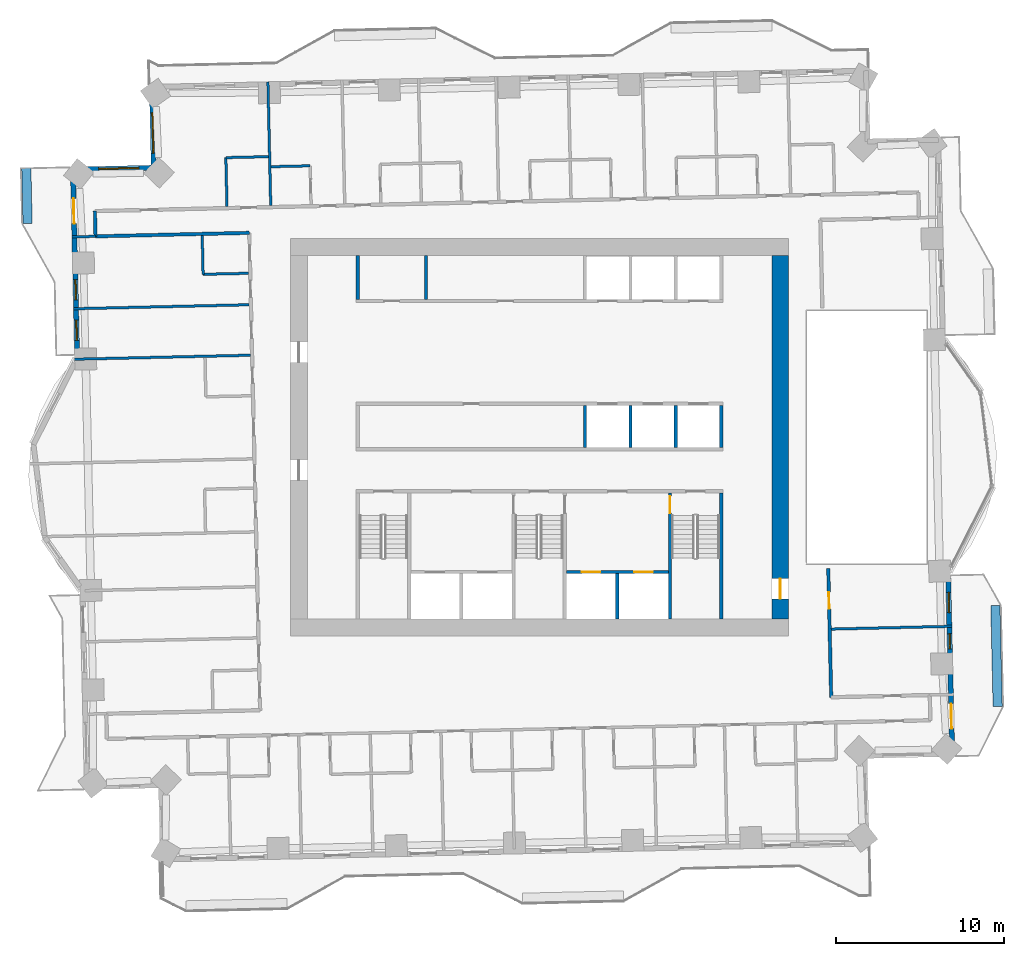
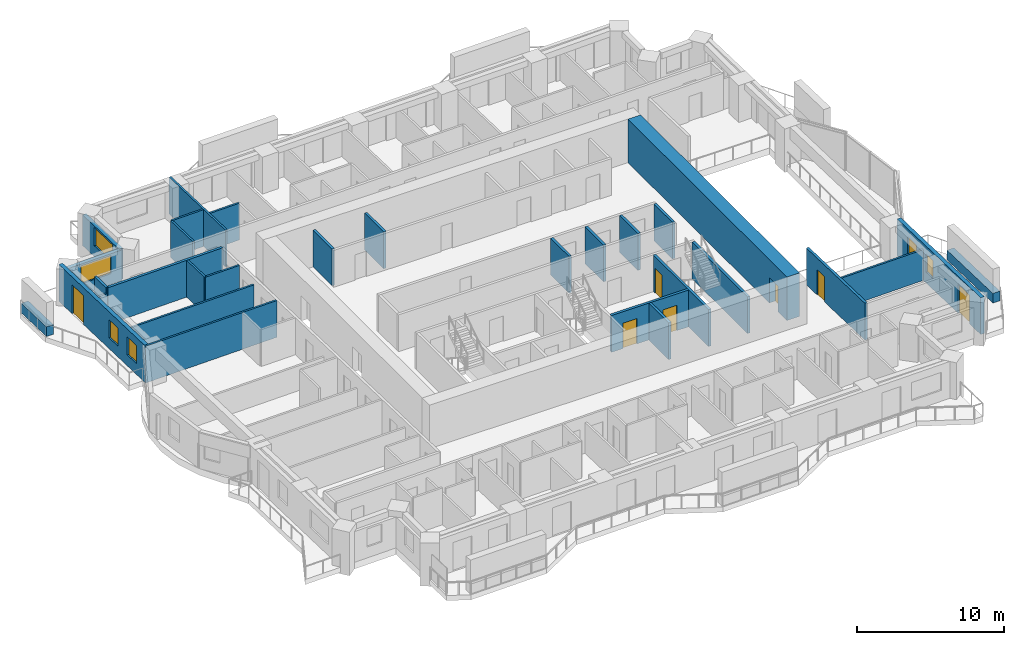
# One storey, part 9 of 16: 30 walls, 7 doors, 6 windows, 13 openings.
"""IFC4 building model written with IfcOpenShell, lengths in metres."""

from ifc_helpers import new_model, si_unit, direction, frame, frame_2d, origin, place, context, subcontext, project, spatial, rectangle, extrude, material, layer, layer_set, type_object, element, fill, save


model = new_model("IFC4")

# Units and contexts
model_context = context("Model", 3, precision=1e-05, world=origin(), true_north=direction((0.0, 1.0)))
body_context = subcontext(model_context, "Body", "Model", "MODEL_VIEW")
ifc_project = project(units=[si_unit("LENGTHUNIT", "METRE"), si_unit("AREAUNIT", "SQUARE_METRE"), si_unit("VOLUMEUNIT", "CUBIC_METRE"), si_unit("PLANEANGLEUNIT", "RADIAN"), si_unit("MASSUNIT", "GRAM", prefix="KILO")], contexts=[model_context])

# Site, building, storey
site_placement = place(None, origin())
site = spatial("IfcSite", under=ifc_project, at=site_placement, CompositionType="ELEMENT")
building_placement = place(site_placement, origin())
building = spatial("IfcBuilding", under=site, at=building_placement, Name="Mangrove Gate Tower", CompositionType="ELEMENT")
storey_placement = place(building_placement, frame((0.0, 0.0, 130.10009765625)))
storey = spatial("IfcBuildingStorey", under=building, at=storey_placement, Name="L32", CompositionType="ELEMENT", Elevation=130.10009765625)

# Walls
ifc_material_1 = material(Name="Concrete C32/40", Category="concrete")
ifc_layer_1 = layer(ifc_material_1, 0.199951171875)
ifc_layer_set_1 = layer_set([ifc_layer_1], Name="Core room wall 200 C32/40")
wall_type_1 = type_object("IfcWallType", Name="Core room wall 200 C32/40", PredefinedType="STANDARD", material=ifc_layer_set_1)
for number, where, z_axis, x_axis, name in (
    (1, (-10.800048828125, 8.199951171875, 0.0), (0.0, 0.0, 1.0), (0.0, 1.0, 0.0), "WALL-L32-CORE-24"),
    (2, (-6.75, 8.199951171875, 0.0), (0.0, 0.0, 1.0), (0.0, 1.0, 0.0), "WALL-L32-CORE-25"),
):
    element("IfcWall", number, at=place(storey_placement, frame(where, z_axis=z_axis, x_axis=x_axis)), inside=storey, type_object=wall_type_1, Name=name, PredefinedType="STANDARD", context=body_context, shape_type="SweptSolid", body=[
        extrude(rectangle(XDim=2.60009765625, YDim=0.199951171875, at=frame_2d((1.300048828125, 0.0))), origin(), (0.0, 0.0, 1.0), 3.0498046875),
    ])

# Wall, openings, doors
ifc_material_2 = material(Name="Concrete C70/85", Category="concrete")
ifc_layer_2 = layer(ifc_material_2, 0.199951171875)
ifc_layer_set_2 = layer_set([ifc_layer_2], Name="Core shaft wall 200 C70/85")
wall_type_2 = type_object("IfcWallType", Name="Core shaft wall 200 C70/85", PredefinedType="SHEAR", material=ifc_layer_set_2)
wall_1_placement = place(storey_placement, frame((1.60009765625, -8.0, 0.0), z_axis=(0.0, 0.0, 1.0), x_axis=(1.0, 0.0, 0.0)))
wall_1 = element("IfcWall", 3, at=wall_1_placement, inside=storey, type_object=wall_type_2, Name="WALL-L32-CORE-17", PredefinedType="SHEAR", context=body_context, shape_type="SweptSolid", body=[
    extrude(rectangle(XDim=6.0498046875, YDim=0.199951171875, at=frame_2d((3.02490234375, 0.0))), origin(), (0.0, 0.0, 1.0), 3.0498046875),
])
opening_1_placement = place(wall_1_placement, frame((0.91259765625, 0.0, 0.0)))
opening_1 = element("IfcOpeningElement", 4, at=opening_1_placement, cuts=wall_1, Name="Opening LD", PredefinedType="OPENING", context=body_context, shape_type="SweptSolid", body=[
    extrude(rectangle(XDim=1.10009765625, YDim=2.10009765625, at=frame_2d((0.550048828125, 1.050048828125))), frame((0.0, 0.10986328125, 0.0), z_axis=(0.0, -1.0, 0.0), x_axis=(1.0, 0.0, 0.0)), (0.0, 0.0, 1.0), 0.219970703125),
])
opening_2_placement = place(wall_1_placement, frame((4.03759765625, 0.0, 0.0)))
opening_2 = element("IfcOpeningElement", 5, at=opening_2_placement, cuts=wall_1, Name="Opening LD", PredefinedType="OPENING", context=body_context, shape_type="SweptSolid", body=[
    extrude(rectangle(XDim=1.10009765625, YDim=2.10009765625, at=frame_2d((0.550048828125, 1.050048828125))), frame((0.0, 0.10986328125, 0.0), z_axis=(0.0, -1.0, 0.0), x_axis=(1.0, 0.0, 0.0)), (0.0, 0.0, 1.0), 0.219970703125),
])
ifc_material_3 = material(Name="Stainless steel 316", Category="steel")
door_type_1 = type_object("IfcDoorType", Name="Lift landing door 1100x2100", OperationType="SLIDING_TO_LEFT", PredefinedType="DOOR", material=ifc_material_3)
door_1_placement = place(opening_1_placement, origin())
door_1 = element("IfcDoor", 6, at=door_1_placement, inside=storey, type_object=door_type_1, Name="Landing door LD FFL1", OperationType="SLIDING_TO_LEFT", OverallHeight=2.10009765625, OverallWidth=1.10009765625, PredefinedType="DOOR", context=body_context, shape_type="SweptSolid", body=[
    extrude(rectangle(XDim=1.10009765625, YDim=2.10009765625, at=frame_2d((0.550048828125, 1.050048828125))), frame((0.0, 0.02490234375, 0.0), z_axis=(0.0, -1.0, 0.0), x_axis=(1.0, 0.0, 0.0)), (0.0, 0.0, 1.0), 0.050048828125),
])
fill(opening_1, door_1)
door_2_placement = place(opening_2_placement, origin())
door_2 = element("IfcDoor", 7, at=door_2_placement, inside=storey, type_object=door_type_1, Name="Landing door LD FFL2", OperationType="SLIDING_TO_LEFT", OverallHeight=2.10009765625, OverallWidth=1.10009765625, PredefinedType="DOOR", context=body_context, shape_type="SweptSolid", body=[
    extrude(rectangle(XDim=1.10009765625, YDim=2.10009765625, at=frame_2d((0.550048828125, 1.050048828125))), frame((0.0, 0.02490234375, 0.0), z_axis=(0.0, -1.0, 0.0), x_axis=(1.0, 0.0, 0.0)), (0.0, 0.0, 1.0), 0.050048828125),
])
fill(opening_2, door_2)

# Walls
wall_2_placement = place(storey_placement, frame((4.625, -10.800048828125, 0.0), z_axis=(0.0, 0.0, 1.0), x_axis=(0.0, 1.0, 0.0)))
element("IfcWall", 8, at=wall_2_placement, inside=storey, type_object=wall_type_2, Name="WALL-L32-CORE-18", PredefinedType="SHEAR", context=body_context, shape_type="SweptSolid", body=[
    extrude(rectangle(XDim=2.699951171875, YDim=0.199951171875, at=frame_2d((1.35009765625, 0.0))), origin(), (0.0, 0.0, 1.0), 3.0498046875),
])
for number, where, z_axis, x_axis, name in (
    (9, (2.699951171875, -0.60009765625, 0.0), (0.0, 0.0, 1.0), (0.0, 1.0, 0.0), "WALL-L32-CORE-20"),
    (10, (5.39990234375, -0.60009765625, 0.0), (0.0, 0.0, 1.0), (0.0, 1.0, 0.0), "WALL-L32-CORE-21"),
    (11, (8.10009765625, -0.60009765625, 0.0), (0.0, 0.0, 1.0), (0.0, 1.0, 0.0), "WALL-L32-CORE-22"),
    (12, (10.800048828125, -0.60009765625, 0.0), (0.0, 0.0, 1.0), (0.0, 1.0, 0.0), "WALL-L32-CORE-23"),
):
    element("IfcWall", number, at=place(storey_placement, frame(where, z_axis=z_axis, x_axis=x_axis)), inside=storey, type_object=wall_type_2, Name=name, PredefinedType="SHEAR", context=body_context, shape_type="SweptSolid", body=[
        extrude(rectangle(XDim=2.5, YDim=0.199951171875, at=frame_2d((1.25, 0.0))), origin(), (0.0, 0.0, 1.0), 3.0498046875),
    ])

# Wall, opening, door
ifc_material_4 = material(Name="Concrete C70/85", Category="concrete")
ifc_layer_3 = layer(ifc_material_4, 0.199951171875)
ifc_layer_set_3 = layer_set([ifc_layer_3], Name="Core stair wall 200 C70/85")
wall_type_3 = type_object("IfcWallType", Name="Core stair wall 200 C70/85", PredefinedType="SHEAR", material=ifc_layer_set_3)
wall_3_placement = place(storey_placement, frame((7.75, -10.800048828125, 0.0), z_axis=(0.0, 0.0, 1.0), x_axis=(0.0, 1.0, 0.0)))
wall_3 = element("IfcWall", 13, at=wall_3_placement, inside=storey, type_object=wall_type_3, Name="WALL-L32-CORE-13", PredefinedType="SHEAR", context=body_context, shape_type="SweptSolid", body=[
    extrude(rectangle(XDim=7.5, YDim=0.199951171875, at=frame_2d((3.75, 0.0))), origin(), (0.0, 0.0, 1.0), 3.0498046875),
])
opening_3_placement = place(wall_3_placement, frame((6.300048828125, 0.0, 0.0)))
opening_3 = element("IfcOpeningElement", 14, at=opening_3_placement, cuts=wall_3, Name="Opening STD10", PredefinedType="OPENING", context=body_context, shape_type="SweptSolid", body=[
    extrude(rectangle(XDim=1.0, YDim=2.10009765625, at=frame_2d((0.5, 1.050048828125))), frame((0.0, 0.10986328125, 0.0), z_axis=(0.0, -1.0, 0.0), x_axis=(1.0, 0.0, 0.0)), (0.0, 0.0, 1.0), 0.219970703125),
])
ifc_material_5 = material(Name="Fire-rated steel door set", Category="steel")
door_type_2 = type_object("IfcDoorType", Name="Stair door FD60 1000x2100", OperationType="SINGLE_SWING_RIGHT", PredefinedType="DOOR", material=ifc_material_5)
door_3_placement = place(opening_3_placement, origin())
door_3 = element("IfcDoor", 15, at=door_3_placement, inside=storey, type_object=door_type_2, Name="Stair door Stair 3 from fire-fighting lobby", OperationType="SINGLE_SWING_RIGHT", OverallHeight=2.10009765625, OverallWidth=1.0, PredefinedType="DOOR", context=body_context, shape_type="SweptSolid", body=[
    extrude(rectangle(XDim=1.0, YDim=2.10009765625, at=frame_2d((0.5, 1.050048828125))), frame((0.0, 0.02490234375, 0.0), z_axis=(0.0, -1.0, 0.0), x_axis=(1.0, 0.0, 0.0)), (0.0, 0.0, 1.0), 0.050048828125),
])
fill(opening_3, door_3)

# Wall
wall_4_placement = place(storey_placement, frame((10.800048828125, -10.800048828125, 0.0), z_axis=(0.0, 0.0, 1.0), x_axis=(0.0, 1.0, 0.0)))
element("IfcWall", 16, at=wall_4_placement, inside=storey, type_object=wall_type_3, Name="WALL-L32-CORE-14", PredefinedType="SHEAR", context=body_context, shape_type="SweptSolid", body=[
    extrude(rectangle(XDim=7.5, YDim=0.199951171875, at=frame_2d((3.75, 0.0))), origin(), (0.0, 0.0, 1.0), 3.0498046875),
])

# Wall, opening, door
ifc_material_6 = material(Name="Concrete C70/85", Category="concrete")
ifc_layer_4 = layer(ifc_material_6, 1.0)
ifc_layer_set_4 = layer_set([ifc_layer_4], Name="Core wall 1000 C70/85")
wall_type_4 = type_object("IfcWallType", Name="Core wall 1000 C70/85", PredefinedType="SHEAR", material=ifc_layer_set_4)
wall_5_placement = place(storey_placement, frame((14.300048828125, -10.800048828125, 0.0), z_axis=(0.0, 0.0, 1.0), x_axis=(0.0, 1.0, 0.0)))
wall_5 = element("IfcWall", 17, at=wall_5_placement, inside=storey, type_object=wall_type_4, Name="WALL-L32-CORE-4", PredefinedType="SHEAR", context=body_context, shape_type="SweptSolid", body=[
    extrude(rectangle(XDim=21.60009765625, YDim=1.0, at=frame_2d((10.800048828125, 0.0))), origin(), (0.0, 0.0, 1.0), 3.599853515625),
])
opening_4_placement = place(wall_5_placement, frame((1.199951171875, 0.0, 0.0)))
opening_4 = element("IfcOpeningElement", 18, at=opening_4_placement, cuts=wall_5, Name="Opening CD", PredefinedType="OPENING", context=body_context, shape_type="SweptSolid", body=[
    extrude(rectangle(XDim=1.199951171875, YDim=2.10009765625, at=frame_2d((0.60009765625, 1.050048828125))), frame((0.0, 0.510009765625, 0.0), z_axis=(0.0, -1.0, 0.0), x_axis=(1.0, 0.0, 0.0)), (0.0, 0.0, 1.0), 1.02001953125),
])
ifc_material_7 = material(Name="Fire-rated steel door set", Category="steel")
door_type_3 = type_object("IfcDoorType", Name="Core ring door FD60 1200x2100", OperationType="DOUBLE_DOOR_SINGLE_SWING", PredefinedType="DOOR", material=ifc_material_7)
door_4_placement = place(opening_4_placement, origin())
door_4 = element("IfcDoor", 19, at=door_4_placement, inside=storey, type_object=door_type_3, Name="Core ring door E1", OperationType="DOUBLE_DOOR_SINGLE_SWING", OverallHeight=2.10009765625, OverallWidth=1.199951171875, PredefinedType="DOOR", context=body_context, shape_type="SweptSolid", body=[
    extrude(rectangle(XDim=1.199951171875, YDim=2.10009765625, at=frame_2d((0.60009765625, 1.050048828125))), frame((0.0, 0.02490234375, 0.0), z_axis=(0.0, -1.0, 0.0), x_axis=(1.0, 0.0, 0.0)), (0.0, 0.0, 1.0), 0.050048828125),
])
fill(opening_4, door_4)

ifc_material_8 = material(Name="Gypsum board on steel stud, EI 60", Category="steel")
ifc_layer_5 = layer(ifc_material_8, 0.199951171875)
ifc_layer_set_5 = layer_set([ifc_layer_5], Name="Corridor wall EI 60")
wall_type_5 = type_object("IfcWallType", Name="Corridor wall EI 60", PredefinedType="PARTITIONING", material=ifc_layer_set_5)
wall_6_placement = place(storey_placement, frame((17.327880859375, -15.447998046875, 0.0), z_axis=(0.0, 0.0, 1.0), x_axis=(-0.022680883318, 0.999742755679, 0.0)))
wall_6 = element("IfcWall", 20, at=wall_6_placement, inside=storey, type_object=wall_type_5, Name="WALL-L32-034", PredefinedType="PARTITIONING", context=body_context, shape_type="SweptSolid", body=[
    extrude(rectangle(XDim=7.6640625, YDim=0.199951171875, at=frame_2d((3.83203125, 0.0))), origin(), (0.0, 0.0, 1.0), 3.0498046875),
])
opening_5_placement = place(wall_6_placement, frame((5.2548828125, 0.0, 0.0)))
opening_5 = element("IfcOpeningElement", 21, at=opening_5_placement, cuts=wall_6, Name="Opening AD", PredefinedType="OPENING", context=body_context, shape_type="SweptSolid", body=[
    extrude(rectangle(XDim=1.0, YDim=2.10009765625, at=frame_2d((0.5, 1.050048828125))), frame((0.0, 0.10986328125, 0.0), z_axis=(0.0, -1.0, 0.0), x_axis=(1.0, 0.0, 0.0)), (0.0, 0.0, 1.0), 0.219970703125),
])
ifc_material_9 = material(Name="Timber door leaf", Category="wood")
door_type_4 = type_object("IfcDoorType", Name="Amenity door 1000", OperationType="SINGLE_SWING_LEFT", PredefinedType="DOOR", material=ifc_material_9)
door_5_placement = place(opening_5_placement, origin())
door_5 = element("IfcDoor", 22, at=door_5_placement, inside=storey, type_object=door_type_4, Name="DOOR-L32-STU-c3a", OperationType="SINGLE_SWING_RIGHT", OverallHeight=2.10009765625, OverallWidth=1.0, PredefinedType="DOOR", context=body_context, shape_type="SweptSolid", body=[
    extrude(rectangle(XDim=1.0, YDim=2.10009765625, at=frame_2d((0.5, 1.050048828125))), frame((0.0, 0.02490234375, 0.0), z_axis=(0.0, -1.0, 0.0), x_axis=(1.0, 0.0, 0.0)), (0.0, 0.0, 1.0), 0.050048828125),
])
fill(opening_5, door_5)

# Walls
wall_7_placement = place(storey_placement, frame((-26.386962890625, 11.94091796875, 0.0), z_axis=(0.0, 0.0, 1.0), x_axis=(0.999741076645, 0.022754772455, 0.0)))
element("IfcWall", 23, at=wall_7_placement, inside=storey, type_object=wall_type_5, Name="WALL-L32-055", PredefinedType="PARTITIONING", context=body_context, shape_type="SweptSolid", body=[
    extrude(rectangle(XDim=9.141357421875, YDim=0.199951171875, at=frame_2d((4.57080078125, 0.0))), origin(), (0.0, 0.0, 1.0), 3.0498046875),
])
wall_8_placement = place(storey_placement, frame((-26.385009765625, 11.94091796875, 0.0), z_axis=(0.0, 0.0, 1.0), x_axis=(-0.022617910375, 0.999744182344, 0.0)))
element("IfcWall", 24, at=wall_8_placement, inside=storey, type_object=wall_type_5, Name="WALL-L32-056", PredefinedType="PARTITIONING", context=body_context, shape_type="SweptSolid", body=[
    extrude(rectangle(XDim=1.50048828125, YDim=0.199951171875, at=frame_2d((0.750244140625, 0.0))), origin(), (0.0, 0.0, 1.0), 3.0498046875),
])

# Wall, openings, door, windows
ifc_material_10 = material(Name="Limestone", Category="masonry")
ifc_layer_6 = layer(ifc_material_10, 0.0400390625, Name="Limestone cladding")
ifc_material_11 = material(Name="Ventilated air gap")
ifc_layer_7 = layer(ifc_material_11, 0.0400390625, Name="Ventilated cavity")
ifc_material_12 = material(Name="Mineral wool insulation")
ifc_layer_8 = layer(ifc_material_12, 0.06005859375, Name="Insulation")
ifc_material_13 = material(Name="Breather membrane")
ifc_layer_9 = layer(ifc_material_13, 0.001953125, Name="Breather membrane")
ifc_material_14 = material(Name="Concrete C20/25 blockwork", Category="masonry")
ifc_layer_10 = layer(ifc_material_14, 0.14990234375, Name="Blockwork backing wall")
ifc_material_15 = material(Name="Gypsum plaster")
ifc_layer_11 = layer(ifc_material_15, 0.008056640625, Name="Internal plaster")
ifc_layer_set_6 = layer_set([ifc_layer_6, ifc_layer_7, ifc_layer_8, ifc_layer_9, ifc_layer_10, ifc_layer_11], Name="External wall 300 limestone cladding")
wall_type_6 = type_object("IfcWallType", Name="External wall 300 limestone cladding", PredefinedType="SOLIDWALL", material=ifc_layer_set_6)
wall_9_placement = place(storey_placement, frame((24.51806640625, -18.81201171875, 0.0), z_axis=(0.0, 0.0, 1.0), x_axis=(-0.02269451316, 0.999742446369, 0.0)))
wall_9 = element("IfcWall", 25, at=wall_9_placement, inside=storey, type_object=wall_type_6, Name="WALL-L32-E0", PredefinedType="SOLIDWALL", context=body_context, shape_type="SweptSolid", body=[
    extrude(rectangle(XDim=10.929931640625, YDim=0.300048828125, at=frame_2d((5.46484375, 0.0))), origin(), (0.0, 0.0, 1.0), 3.0498046875),
])
opening_6_placement = place(wall_9_placement, frame((1.49609375, 0.0, 0.0)))
opening_6 = element("IfcOpeningElement", 26, at=opening_6_placement, cuts=wall_9, Name="Opening BD1", PredefinedType="OPENING", context=body_context, shape_type="SweptSolid", body=[
    extrude(rectangle(XDim=1.5, YDim=2.39990234375, at=frame_2d((0.75, 1.199951171875))), frame((0.0, 0.159912109375, 0.0), z_axis=(0.0, -1.0, 0.0), x_axis=(1.0, 0.0, 0.0)), (0.0, 0.0, 1.0), 0.320068359375),
])
opening_7_placement = place(wall_9_placement, frame((6.243896484375, 0.0, 0.89990234375)))
opening_7 = element("IfcOpeningElement", 27, at=opening_7_placement, cuts=wall_9, Name="Opening W5", PredefinedType="OPENING", context=body_context, shape_type="SweptSolid", body=[
    extrude(rectangle(XDim=0.89990234375, YDim=1.5, at=frame_2d((0.449951171875, 0.75))), frame((0.0, 0.159912109375, 0.0), z_axis=(0.0, -1.0, 0.0), x_axis=(1.0, 0.0, 0.0)), (0.0, 0.0, 1.0), 0.320068359375),
])
opening_8_placement = place(wall_9_placement, frame((8.39990234375, 0.0, 0.89990234375)))
opening_8 = element("IfcOpeningElement", 28, at=opening_8_placement, cuts=wall_9, Name="Opening W1", PredefinedType="OPENING", context=body_context, shape_type="SweptSolid", body=[
    extrude(rectangle(XDim=1.199951171875, YDim=1.5, at=frame_2d((0.60009765625, 0.75))), frame((0.0, 0.159912109375, 0.0), z_axis=(0.0, -1.0, 0.0), x_axis=(1.0, 0.0, 0.0)), (0.0, 0.0, 1.0), 0.320068359375),
])
ifc_material_16 = material(Name="Aluminium frame with laminated clear glass", Category="aluminium")
door_type_5 = type_object("IfcDoorType", Name="Balcony sliding door 1500x2400", OperationType="SLIDING_TO_LEFT", PredefinedType="DOOR", material=ifc_material_16)
door_6_placement = place(opening_6_placement, origin())
door_6 = element("IfcDoor", 29, at=door_6_placement, inside=storey, type_object=door_type_5, Name="DOOR-L32-E0-1", OperationType="SLIDING_TO_LEFT", OverallHeight=2.39990234375, OverallWidth=1.5, PredefinedType="DOOR", context=body_context, shape_type="SweptSolid", body=[
    extrude(rectangle(XDim=1.5, YDim=2.39990234375, at=frame_2d((0.75, 1.199951171875))), frame((0.0, 0.02490234375, 0.0), z_axis=(0.0, -1.0, 0.0), x_axis=(1.0, 0.0, 0.0)), (0.0, 0.0, 1.0), 0.050048828125),
])
fill(opening_6, door_6)
ifc_material_17 = material(Name="Aluminium frame with double-glazed low-e glass", Category="aluminium")
window_type_1 = type_object("IfcWindowType", Name="Narrow window 900x1500", PartitioningType="SINGLE_PANEL", PredefinedType="WINDOW", material=ifc_material_17)
window_1_placement = place(opening_7_placement, origin())
window_1 = element("IfcWindow", 30, at=window_1_placement, inside=storey, type_object=window_type_1, Name="WIN-L32-E0-2", OverallHeight=1.5, OverallWidth=0.89990234375, PartitioningType="SINGLE_PANEL", PredefinedType="WINDOW", context=body_context, shape_type="SweptSolid", body=[
    extrude(rectangle(XDim=0.89990234375, YDim=1.5, at=frame_2d((0.449951171875, 0.75))), frame((0.0, 0.030029296875, 0.0), z_axis=(0.0, -1.0, 0.0), x_axis=(1.0, 0.0, 0.0)), (0.0, 0.0, 1.0), 0.06005859375),
])
fill(opening_7, window_1)
ifc_material_18 = material(Name="Aluminium frame with double-glazed low-e glass", Category="aluminium")
window_type_2 = type_object("IfcWindowType", Name="Side lite 1200x1500", PartitioningType="SINGLE_PANEL", PredefinedType="WINDOW", material=ifc_material_18)
window_2_placement = place(opening_8_placement, origin())
window_2 = element("IfcWindow", 31, at=window_2_placement, inside=storey, type_object=window_type_2, Name="WIN-L32-E0-3", OverallHeight=1.5, OverallWidth=1.199951171875, PartitioningType="SINGLE_PANEL", PredefinedType="WINDOW", context=body_context, shape_type="SweptSolid", body=[
    extrude(rectangle(XDim=1.199951171875, YDim=1.5, at=frame_2d((0.60009765625, 0.75))), frame((0.0, 0.030029296875, 0.0), z_axis=(0.0, -1.0, 0.0), x_axis=(1.0, 0.0, 0.0)), (0.0, 0.0, 1.0), 0.06005859375),
])
fill(opening_8, window_2)

# Wall, opening, window
wall_10_placement = place(storey_placement, frame((-23.037109375, 20.819091796875, 0.0), z_axis=(0.0, 0.0, 1.0), x_axis=(0.022738738327, -0.999741441463, 0.0)))
wall_10 = element("IfcWall", 32, at=wall_10_placement, inside=storey, type_object=wall_type_6, Name="WALL-L32-W6", PredefinedType="SOLIDWALL", context=body_context, shape_type="SweptSolid", body=[
    extrude(rectangle(XDim=4.79931640625, YDim=0.300048828125, at=frame_2d((2.399658203125, 0.0))), origin(), (0.0, 0.0, 1.0), 2.5498046875),
])
opening_9_placement = place(wall_10_placement, frame((1.541015625, 0.0, 0.89990234375)))
opening_9 = element("IfcOpeningElement", 33, at=opening_9_placement, cuts=wall_10, Name="Opening W2", PredefinedType="OPENING", context=body_context, shape_type="SweptSolid", body=[
    extrude(rectangle(XDim=2.39990234375, YDim=1.5, at=frame_2d((1.199951171875, 0.75))), frame((0.0, 0.159912109375, 0.0), z_axis=(0.0, -1.0, 0.0), x_axis=(1.0, 0.0, 0.0)), (0.0, 0.0, 1.0), 0.320068359375),
])
ifc_material_19 = material(Name="Aluminium frame with double-glazed low-e glass", Category="aluminium")
window_type_3 = type_object("IfcWindowType", Name="Corner room window 2400x1500", PartitioningType="DOUBLE_PANEL_VERTICAL", PredefinedType="WINDOW", material=ifc_material_19)
window_3_placement = place(opening_9_placement, origin())
window_3 = element("IfcWindow", 34, at=window_3_placement, inside=storey, type_object=window_type_3, Name="WIN-L32-W6-1", OverallHeight=1.5, OverallWidth=2.39990234375, PartitioningType="DOUBLE_PANEL_VERTICAL", PredefinedType="WINDOW", context=body_context, shape_type="SweptSolid", body=[
    extrude(rectangle(XDim=2.39990234375, YDim=1.5, at=frame_2d((1.199951171875, 0.75))), frame((0.0, 0.030029296875, 0.0), z_axis=(0.0, -1.0, 0.0), x_axis=(1.0, 0.0, 0.0)), (0.0, 0.0, 1.0), 0.06005859375),
])
fill(opening_9, window_3)

wall_11_placement = place(storey_placement, frame((-22.927978515625, 16.02099609375, 0.0), z_axis=(0.0, 0.0, 1.0), x_axis=(-0.999742701292, -0.022683280499, 0.0)))
wall_11 = element("IfcWall", 35, at=wall_11_placement, inside=storey, type_object=wall_type_6, Name="WALL-L32-N7", PredefinedType="SOLIDWALL", context=body_context, shape_type="SweptSolid", body=[
    extrude(rectangle(XDim=4.80029296875, YDim=0.300048828125, at=frame_2d((2.400146484375, 0.0))), origin(), (0.0, 0.0, 1.0), 2.5498046875),
])
opening_10_placement = place(wall_11_placement, frame((0.873046875, 0.0, 0.89990234375)))
opening_10 = element("IfcOpeningElement", 36, at=opening_10_placement, cuts=wall_11, Name="Opening W2", PredefinedType="OPENING", context=body_context, shape_type="SweptSolid", body=[
    extrude(rectangle(XDim=2.39990234375, YDim=1.5, at=frame_2d((1.199951171875, 0.75))), frame((0.0, 0.159912109375, 0.0), z_axis=(0.0, -1.0, 0.0), x_axis=(1.0, 0.0, 0.0)), (0.0, 0.0, 1.0), 0.320068359375),
])
window_4_placement = place(opening_10_placement, origin())
window_4 = element("IfcWindow", 37, at=window_4_placement, inside=storey, type_object=window_type_3, Name="WIN-L32-N7-1", OverallHeight=1.5, OverallWidth=2.39990234375, PartitioningType="DOUBLE_PANEL_VERTICAL", PredefinedType="WINDOW", context=body_context, shape_type="SweptSolid", body=[
    extrude(rectangle(XDim=2.39990234375, YDim=1.5, at=frame_2d((1.199951171875, 0.75))), frame((0.0, 0.030029296875, 0.0), z_axis=(0.0, -1.0, 0.0), x_axis=(1.0, 0.0, 0.0)), (0.0, 0.0, 1.0), 0.06005859375),
])
fill(opening_10, window_4)

# Wall, openings, door, windows
wall_12_placement = place(storey_placement, frame((-27.72705078125, 15.912109375, 0.0), z_axis=(0.0, 0.0, 1.0), x_axis=(0.022690078929, -0.999742547018, 0.0)))
wall_12 = element("IfcWall", 38, at=wall_12_placement, inside=storey, type_object=wall_type_6, Name="WALL-L32-W8", PredefinedType="SOLIDWALL", context=body_context, shape_type="SweptSolid", body=[
    extrude(rectangle(XDim=11.330078125, YDim=0.300048828125, at=frame_2d((5.6650390625, 0.0))), origin(), (0.0, 0.0, 1.0), 3.0498046875),
])
opening_11_placement = place(wall_12_placement, frame((1.717041015625, 0.0, 0.0)))
opening_11 = element("IfcOpeningElement", 39, at=opening_11_placement, cuts=wall_12, Name="Opening BD1", PredefinedType="OPENING", context=body_context, shape_type="SweptSolid", body=[
    extrude(rectangle(XDim=1.5, YDim=2.39990234375, at=frame_2d((0.75, 1.199951171875))), frame((0.0, 0.159912109375, 0.0), z_axis=(0.0, -1.0, 0.0), x_axis=(1.0, 0.0, 0.0)), (0.0, 0.0, 1.0), 0.320068359375),
])
opening_12_placement = place(wall_12_placement, frame((6.5439453125, 0.0, 0.89990234375)))
opening_12 = element("IfcOpeningElement", 40, at=opening_12_placement, cuts=wall_12, Name="Opening W1", PredefinedType="OPENING", context=body_context, shape_type="SweptSolid", body=[
    extrude(rectangle(XDim=1.199951171875, YDim=1.5, at=frame_2d((0.60009765625, 0.75))), frame((0.0, 0.159912109375, 0.0), z_axis=(0.0, -1.0, 0.0), x_axis=(1.0, 0.0, 0.0)), (0.0, 0.0, 1.0), 0.320068359375),
])
opening_13_placement = place(wall_12_placement, frame((8.949951171875, 0.0, 0.89990234375)))
opening_13 = element("IfcOpeningElement", 41, at=opening_13_placement, cuts=wall_12, Name="Opening W1", PredefinedType="OPENING", context=body_context, shape_type="SweptSolid", body=[
    extrude(rectangle(XDim=1.199951171875, YDim=1.5, at=frame_2d((0.60009765625, 0.75))), frame((0.0, 0.159912109375, 0.0), z_axis=(0.0, -1.0, 0.0), x_axis=(1.0, 0.0, 0.0)), (0.0, 0.0, 1.0), 0.320068359375),
])
door_7_placement = place(opening_11_placement, origin())
door_7 = element("IfcDoor", 42, at=door_7_placement, inside=storey, type_object=door_type_5, Name="DOOR-L32-W8-1", OperationType="SLIDING_TO_LEFT", OverallHeight=2.39990234375, OverallWidth=1.5, PredefinedType="DOOR", context=body_context, shape_type="SweptSolid", body=[
    extrude(rectangle(XDim=1.5, YDim=2.39990234375, at=frame_2d((0.75, 1.199951171875))), frame((0.0, 0.02490234375, 0.0), z_axis=(0.0, -1.0, 0.0), x_axis=(1.0, 0.0, 0.0)), (0.0, 0.0, 1.0), 0.050048828125),
])
fill(opening_11, door_7)
window_5_placement = place(opening_12_placement, origin())
window_5 = element("IfcWindow", 43, at=window_5_placement, inside=storey, type_object=window_type_2, Name="WIN-L32-W8-2", OverallHeight=1.5, OverallWidth=1.199951171875, PartitioningType="SINGLE_PANEL", PredefinedType="WINDOW", context=body_context, shape_type="SweptSolid", body=[
    extrude(rectangle(XDim=1.199951171875, YDim=1.5, at=frame_2d((0.60009765625, 0.75))), frame((0.0, 0.030029296875, 0.0), z_axis=(0.0, -1.0, 0.0), x_axis=(1.0, 0.0, 0.0)), (0.0, 0.0, 1.0), 0.06005859375),
])
fill(opening_12, window_5)
window_6_placement = place(opening_13_placement, origin())
window_6 = element("IfcWindow", 44, at=window_6_placement, inside=storey, type_object=window_type_2, Name="WIN-L32-W8-3", OverallHeight=1.5, OverallWidth=1.199951171875, PartitioningType="SINGLE_PANEL", PredefinedType="WINDOW", context=body_context, shape_type="SweptSolid", body=[
    extrude(rectangle(XDim=1.199951171875, YDim=1.5, at=frame_2d((0.60009765625, 0.75))), frame((0.0, 0.030029296875, 0.0), z_axis=(0.0, -1.0, 0.0), x_axis=(1.0, 0.0, 0.0)), (0.0, 0.0, 1.0), 0.06005859375),
])
fill(opening_13, window_6)

# Walls
ifc_material_20 = material(Name="Gypsum board on steel stud, EI 60", Category="steel")
ifc_layer_12 = layer(ifc_material_20, 0.14990234375)
ifc_layer_set_7 = layer_set([ifc_layer_12], Name="Party wall 150 EI 60")
wall_type_7 = type_object("IfcWallType", Name="Party wall 150 EI 60", PredefinedType="PARTITIONING", material=ifc_layer_set_7)
wall_13_placement = place(storey_placement, frame((17.3310546875, -11.39306640625, 0.0), z_axis=(0.0, 0.0, 1.0), x_axis=(0.999741061159, 0.022755452803, 0.0)))
element("IfcWall", 45, at=wall_13_placement, inside=storey, type_object=wall_type_7, Name="WALL-L32-040", PredefinedType="PARTITIONING", context=body_context, shape_type="SweptSolid", body=[
    extrude(rectangle(XDim=7.1669921875, YDim=0.14990234375, at=frame_2d((3.58349609375, 0.0))), origin(), (0.0, 0.0, 1.0), 2.5498046875),
])
wall_14_placement = place(storey_placement, frame((-27.62109375, 4.64111328125, 0.0), z_axis=(0.0, 0.0, 1.0), x_axis=(0.999742728106, 0.022682098664, 0.0)))
element("IfcWall", 46, at=wall_14_placement, inside=storey, type_object=wall_type_7, Name="WALL-L32-049", PredefinedType="PARTITIONING", context=body_context, shape_type="SweptSolid", body=[
    extrude(rectangle(XDim=10.440673828125, YDim=0.14990234375, at=frame_2d((5.22021484375, 0.0))), origin(), (0.0, 0.0, 1.0), 3.0498046875),
])
wall_15_placement = place(storey_placement, frame((-27.68896484375, 7.639892578125, 0.0), z_axis=(0.0, 0.0, 1.0), x_axis=(0.99974219758, 0.022705470222, 0.0)))
element("IfcWall", 47, at=wall_15_placement, inside=storey, type_object=wall_type_7, Name="WALL-L32-051", PredefinedType="PARTITIONING", context=body_context, shape_type="SweptSolid", body=[
    extrude(rectangle(XDim=10.440673828125, YDim=0.14990234375, at=frame_2d((5.22021484375, 0.0))), origin(), (0.0, 0.0, 1.0), 2.5498046875),
])
wall_16_placement = place(storey_placement, frame((-19.992919921875, 9.68603515625, 0.0), z_axis=(0.0, 0.0, 1.0), x_axis=(0.999744396973, 0.02260842146, 0.0)))
element("IfcWall", 48, at=wall_16_placement, inside=storey, type_object=wall_type_7, Name="WALL-L32-052", PredefinedType="PARTITIONING", context=body_context, shape_type="SweptSolid", body=[
    extrude(rectangle(XDim=2.69970703125, YDim=0.14990234375, at=frame_2d((1.349853515625, 0.0))), origin(), (0.0, 0.0, 1.0), 3.0498046875),
])
wall_17_placement = place(storey_placement, frame((-19.991943359375, 9.68603515625, 0.0), z_axis=(0.0, 0.0, 1.0), x_axis=(-0.022612884682, 0.999744296031, 0.0)))
element("IfcWall", 49, at=wall_17_placement, inside=storey, type_object=wall_type_7, Name="WALL-L32-053", PredefinedType="PARTITIONING", context=body_context, shape_type="SweptSolid", body=[
    extrude(rectangle(XDim=2.299560546875, YDim=0.14990234375, at=frame_2d((1.14990234375, 0.0))), origin(), (0.0, 0.0, 1.0), 3.0498046875),
])
wall_18_placement = place(storey_placement, frame((-27.785888671875, 11.908935546875, 0.0), z_axis=(0.0, 0.0, 1.0), x_axis=(0.999740216184, 0.022792545827, 0.0)))
element("IfcWall", 50, at=wall_18_placement, inside=storey, type_object=wall_type_7, Name="WALL-L32-054", PredefinedType="PARTITIONING", context=body_context, shape_type="SweptSolid", body=[
    extrude(rectangle(XDim=1.403076171875, YDim=0.14990234375, at=frame_2d((0.70166015625, 0.0))), origin(), (0.0, 0.0, 1.0), 2.5498046875),
])
wall_19_placement = place(storey_placement, frame((-18.572998046875, 13.718994140625, 0.0), z_axis=(0.0, 0.0, 1.0), x_axis=(-0.022732880677, 0.999741574676, 0.0)))
element("IfcWall", 51, at=wall_19_placement, inside=storey, type_object=wall_type_7, Name="WALL-L32-061", PredefinedType="PARTITIONING", context=body_context, shape_type="SweptSolid", body=[
    extrude(rectangle(XDim=2.899658203125, YDim=0.14990234375, at=frame_2d((1.44970703125, 0.0))), origin(), (0.0, 0.0, 1.0), 3.0498046875),
])
wall_20_placement = place(storey_placement, frame((-15.97412109375, 13.778076171875, 0.0), z_axis=(0.0, 0.0, 1.0), x_axis=(-0.022554648976, 0.999745611548, 0.0)))
element("IfcWall", 52, at=wall_20_placement, inside=storey, type_object=wall_type_7, Name="WALL-L32-062", PredefinedType="PARTITIONING", context=body_context, shape_type="SweptSolid", body=[
    extrude(rectangle(XDim=7.349853515625, YDim=0.14990234375, at=frame_2d((3.6748046875, 0.0))), origin(), (0.0, 0.0, 1.0), 3.0498046875),
])
wall_21_placement = place(storey_placement, frame((-15.952880859375, 16.0791015625, 0.0), z_axis=(0.0, 0.0, 1.0), x_axis=(0.999740260747, 0.02279059109, 0.0)))
element("IfcWall", 53, at=wall_21_placement, inside=storey, type_object=wall_type_7, Name="WALL-L32-078", PredefinedType="PARTITIONING", context=body_context, shape_type="SweptSolid", body=[
    extrude(rectangle(XDim=2.324462890625, YDim=0.14990234375, at=frame_2d((1.162109375, 0.0))), origin(), (0.0, 0.0, 1.0), 3.0498046875),
])
wall_22_placement = place(storey_placement, frame((-18.64111328125, 16.617919921875, 0.0), z_axis=(0.0, 0.0, 1.0), x_axis=(0.999744175585, 0.022618209135, 0.0)))
element("IfcWall", 54, at=wall_22_placement, inside=storey, type_object=wall_type_7, Name="WALL-L32-082", PredefinedType="PARTITIONING", context=body_context, shape_type="SweptSolid", body=[
    extrude(rectangle(XDim=2.52587890625, YDim=0.14990234375, at=frame_2d((1.262939453125, 0.0))), origin(), (0.0, 0.0, 1.0), 3.0498046875),
])
ifc_material_21 = material(Name="Concrete C32/40", Category="concrete")
ifc_layer_13 = layer(ifc_material_21, 0.199951171875, Name="Planter trough wall")
ifc_material_22 = material(Name="Bituminous waterproofing membrane")
ifc_layer_14 = layer(ifc_material_22, 0.0048828125, Name="Waterproofing")
ifc_material_23 = material(Name="Drainage board and gravel")
ifc_layer_15 = layer(ifc_material_23, 0.044921875, Name="Drainage layer")
ifc_material_24 = material(Name="Planting soil")
ifc_layer_16 = layer(ifc_material_24, 0.300048828125, Name="Growing medium")
ifc_layer_set_8 = layer_set([ifc_layer_13, ifc_layer_14, ifc_layer_15, ifc_layer_16], Name="Planter wall 550 C32/40")
wall_type_8 = type_object("IfcWallType", Name="Planter wall 550 C32/40", PredefinedType="USERDEFINED", material=ifc_layer_set_8)
wall_23_placement = place(storey_placement, frame((27.219970703125, -16.0, 0.0), z_axis=(0.0, 0.0, 1.0), x_axis=(-0.022662255828, 0.999743178102, 0.0)))
element("IfcWall", 55, at=wall_23_placement, inside=storey, type_object=wall_type_8, Name="PLANTER L32 E0.1", ObjectType="PLANTER", PredefinedType="USERDEFINED", context=body_context, shape_type="SweptSolid", body=[
    extrude(rectangle(XDim=6.00048828125, YDim=0.550048828125, at=frame_2d((3.000244140625, 0.0))), origin(), (0.0, 0.0, 1.0), 0.7998046875),
])
wall_24_placement = place(storey_placement, frame((-30.419921875, 12.699951171875, 0.0), z_axis=(0.0, 0.0, 1.0), x_axis=(-0.02278694782, 0.999740343794, 0.0)))
element("IfcWall", 56, at=wall_24_placement, inside=storey, type_object=wall_type_8, Name="PLANTER L32 W0.1", ObjectType="PLANTER", PredefinedType="USERDEFINED", context=body_context, shape_type="SweptSolid", body=[
    extrude(rectangle(XDim=3.300048828125, YDim=0.550048828125, at=frame_2d((1.64990234375, 0.0))), origin(), (0.0, 0.0, 1.0), 0.7998046875),
])

save(model, "model.ifc")
